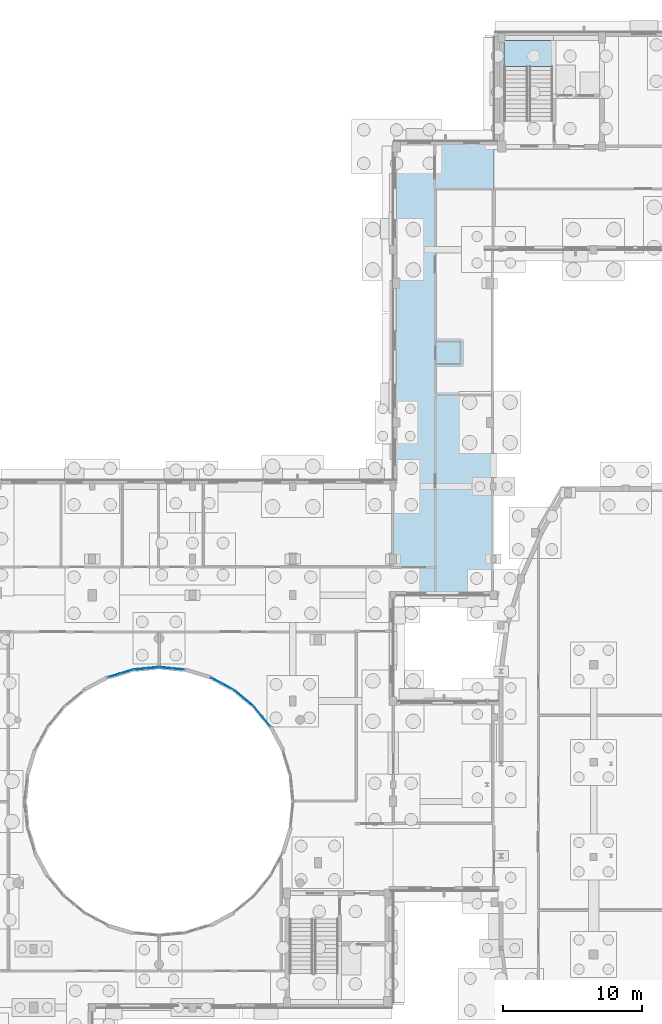
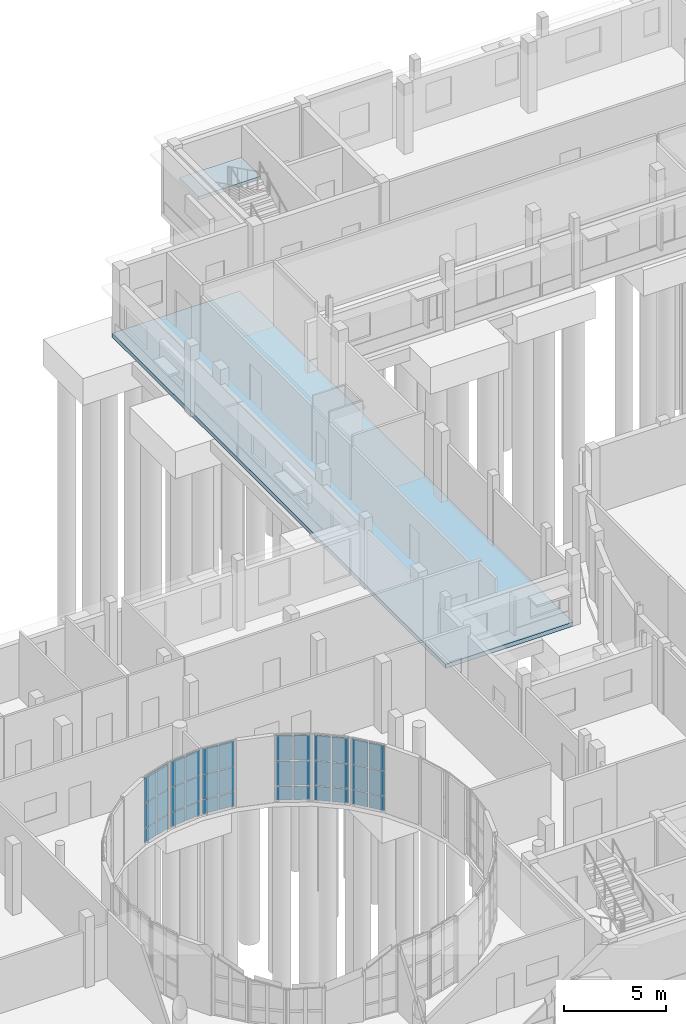
# One storey, part 59 of 93: 36 plates, 2 slabs, 7 elements without a shape of their own.
"""IFC4 building model written with IfcOpenShell, lengths in metres."""

from ifc_helpers import new_model, si_unit, direction, frame, origin, origin_2d, place, context, subcontext, project, spatial, polyline, rectangle, outline, extrude, material, layer, layer_set, type_object, element, aggregate, save


model = new_model("IFC4")

# Units and contexts
model_context = context("Model", 3, precision=1e-05, world=origin(), true_north=direction((0.0, 1.0)))
body_context = subcontext(model_context, "Body", "Model", "MODEL_VIEW")
ifc_project = project(units=[si_unit("LENGTHUNIT", "METRE"), si_unit("AREAUNIT", "SQUARE_METRE"), si_unit("VOLUMEUNIT", "CUBIC_METRE"), si_unit("PLANEANGLEUNIT", "RADIAN"), si_unit("MASSUNIT", "GRAM", prefix="KILO")], contexts=[model_context])

# Site, building, storey
site_placement = place(None, origin())
site = spatial("IfcSite", under=ifc_project, at=site_placement, CompositionType="ELEMENT")
building_placement = place(site_placement, origin())
building = spatial("IfcBuilding", under=site, at=building_placement, Name="Kelanivale Promenade Academy", CompositionType="ELEMENT")
storey_placement = place(building_placement, origin())
storey = spatial("IfcBuildingStorey", under=building, at=storey_placement, Name="L00", CompositionType="ELEMENT", Elevation=0.0)

# Slab
ifc_material_1 = material(Name="Concrete C35/45", Category="concrete")
ifc_layer_1 = layer(ifc_material_1, 0.25)
ifc_layer_set_1 = layer_set([ifc_layer_1], Name="Concrete C35/45")
slab_type_1 = type_object("IfcSlabType", Name="BS-01 Slab 250mm", PredefinedType="BASESLAB", material=ifc_layer_set_1)
slab_1_placement = place(storey_placement, frame((0.0, 0.0, -0.25)))
element("IfcSlab", 1, at=slab_1_placement, inside=storey, type_object=slab_type_1, Name="L00 structural slab SLB-L00-V5K", PredefinedType="BASESLAB", context=body_context, shape_type="SweptSolid", body=[
    extrude(outline(polyline([(115.60009765625, 104.199951171875), (115.60009765625, 71.60009765625), (122.800048828125, 71.60009765625), (122.800048828125, 104.199951171875), (115.60009765625, 104.199951171875)])), origin(), (0.0, 0.0, 1.0), 0.25),
])

# Curtain wall, plates
ifc_material_2 = material(Name="Bronze anodised aluminium and solar-control low-E glass", Category="aluminium")
ifc_layer_2 = layer(ifc_material_2, 0.169921875)
ifc_layer_set_2 = layer_set([ifc_layer_2], Name="Bronze anodised aluminium and solar-control low-E glass")
curtain_wall_type_1 = type_object("IfcCurtainWallType", Name="CW-04 Curtain Wall 1800mm Module", PredefinedType="USERDEFINED", material=ifc_layer_set_2)
curtain_wall_1_placement = place(storey_placement, origin())
curtain_wall_1 = element("IfcCurtainWall", 2, at=curtain_wall_1_placement, inside=storey, type_object=curtain_wall_type_1, Name="L00 courtyard curtain wall CW-04", ObjectType="UNITISED GLAZING", PredefinedType="USERDEFINED")
ifc_material_3 = material(Name="Solar-control double glazing 28 mm", Category="glass")
ifc_layer_3 = layer(ifc_material_3, 0.028076171875)
ifc_layer_set_3 = layer_set([ifc_layer_3], Name="Solar-control double glazing 28 mm")
plate_type_1 = type_object("IfcPlateType", Name="CWP-01 Plate 28mm", PredefinedType="CURTAIN_PANEL", material=ifc_layer_set_3)
plate_1_placement = place(storey_placement, frame((103.72216796875, 65.04736328125, 0.06005859375), z_axis=(0.0, 0.0, 1.0), x_axis=(-0.881978204448, 0.471290193914, 0.0)))
plate_1 = element("IfcPlate", 3, at=plate_1_placement, type_object=plate_type_1, Name="CW-04 panel 1.1", PredefinedType="CURTAIN_PANEL", context=body_context, shape_type="SweptSolid", body=[
    extrude(rectangle(XDim=0.82666015625, YDim=0.028076171875, at=origin_2d()), origin(), (0.0, 0.0, 1.0), 0.81005859375),
])
plate_2_placement = place(storey_placement, frame((103.72216796875, 65.04736328125, 0.929931640625), z_axis=(0.0, 0.0, 1.0), x_axis=(-0.881978204448, 0.471290193914, 0.0)))
plate_2 = element("IfcPlate", 4, at=plate_2_placement, type_object=plate_type_1, Name="CW-04 panel 1.2", PredefinedType="CURTAIN_PANEL", context=body_context, shape_type="SweptSolid", body=[
    extrude(rectangle(XDim=0.82666015625, YDim=0.028076171875, at=origin_2d()), origin(), (0.0, 0.0, 1.0), 1.43994140625),
])
plate_3_placement = place(storey_placement, frame((103.72216796875, 65.04736328125, 2.43017578125), z_axis=(0.0, 0.0, 1.0), x_axis=(-0.881978204448, 0.471290193914, 0.0)))
plate_3 = element("IfcPlate", 5, at=plate_3_placement, type_object=plate_type_1, Name="CW-04 panel 1.3", PredefinedType="CURTAIN_PANEL", context=body_context, shape_type="SweptSolid", body=[
    extrude(rectangle(XDim=0.82666015625, YDim=0.028076171875, at=origin_2d()), origin(), (0.0, 0.0, 1.0), 1.489990234375),
])
plate_4_placement = place(storey_placement, frame((102.935791015625, 65.467529296875, 0.06005859375), z_axis=(0.0, 0.0, 1.0), x_axis=(-0.881978204448, 0.471290193914, 0.0)))
plate_4 = element("IfcPlate", 6, at=plate_4_placement, type_object=plate_type_1, Name="CW-04 panel 2.1", PredefinedType="CURTAIN_PANEL", context=body_context, shape_type="SweptSolid", body=[
    extrude(rectangle(XDim=0.82666015625, YDim=0.028076171875, at=origin_2d()), origin(), (0.0, 0.0, 1.0), 0.81005859375),
])
plate_5_placement = place(storey_placement, frame((102.935791015625, 65.467529296875, 0.929931640625), z_axis=(0.0, 0.0, 1.0), x_axis=(-0.881978204448, 0.471290193914, 0.0)))
plate_5 = element("IfcPlate", 7, at=plate_5_placement, type_object=plate_type_1, Name="CW-04 panel 2.2", PredefinedType="CURTAIN_PANEL", context=body_context, shape_type="SweptSolid", body=[
    extrude(rectangle(XDim=0.82666015625, YDim=0.028076171875, at=origin_2d()), origin(), (0.0, 0.0, 1.0), 1.43994140625),
])
plate_6_placement = place(storey_placement, frame((102.935791015625, 65.467529296875, 2.43017578125), z_axis=(0.0, 0.0, 1.0), x_axis=(-0.881978204448, 0.471290193914, 0.0)))
plate_6 = element("IfcPlate", 8, at=plate_6_placement, type_object=plate_type_1, Name="CW-04 panel 2.3", PredefinedType="CURTAIN_PANEL", context=body_context, shape_type="SweptSolid", body=[
    extrude(rectangle(XDim=0.82666015625, YDim=0.028076171875, at=origin_2d()), origin(), (0.0, 0.0, 1.0), 1.489990234375),
])
aggregate(curtain_wall_1, [plate_1, plate_2, plate_3, plate_4, plate_5, plate_6])

ifc_layer_4 = layer(ifc_material_2, 0.169921875)
ifc_layer_set_4 = layer_set([ifc_layer_4], Name="Bronze anodised aluminium and solar-control low-E glass")
curtain_wall_type_2 = type_object("IfcCurtainWallType", Name="CW-07 Curtain Wall 1350mm Module", PredefinedType="USERDEFINED", material=ifc_layer_set_4)
curtain_wall_2_placement = place(storey_placement, origin())
curtain_wall_2 = element("IfcCurtainWall", 9, at=curtain_wall_2_placement, inside=storey, type_object=curtain_wall_type_2, Name="L00 courtyard curtain wall CW-07", ObjectType="UNITISED GLAZING", PredefinedType="USERDEFINED")
plate_7_placement = place(storey_placement, frame((96.448486328125, 66.1123046875, 0.0498046875), z_axis=(0.0, 0.0, 1.0), x_axis=(-0.956987977524, -0.290127576893, 0.0)))
plate_7 = element("IfcPlate", 10, at=plate_7_placement, type_object=plate_type_1, Name="CW-07 panel 1.1", PredefinedType="CURTAIN_PANEL", context=body_context, shape_type="SweptSolid", body=[
    extrude(rectangle(XDim=0.826171875, YDim=0.028076171875, at=origin_2d()), origin(), (0.0, 0.0, 1.0), 0.824951171875),
])
plate_8_placement = place(storey_placement, frame((96.448486328125, 66.1123046875, 0.9248046875), z_axis=(0.0, 0.0, 1.0), x_axis=(-0.956987977524, -0.290127576893, 0.0)))
plate_8 = element("IfcPlate", 11, at=plate_8_placement, type_object=plate_type_1, Name="CW-07 panel 1.2", PredefinedType="CURTAIN_PANEL", context=body_context, shape_type="SweptSolid", body=[
    extrude(rectangle(XDim=0.826171875, YDim=0.028076171875, at=origin_2d()), origin(), (0.0, 0.0, 1.0), 1.449951171875),
])
plate_9_placement = place(storey_placement, frame((96.448486328125, 66.1123046875, 2.425048828125), z_axis=(0.0, 0.0, 1.0), x_axis=(-0.956987977524, -0.290127576893, 0.0)))
plate_9 = element("IfcPlate", 12, at=plate_9_placement, type_object=plate_type_1, Name="CW-07 panel 1.3", PredefinedType="CURTAIN_PANEL", context=body_context, shape_type="SweptSolid", body=[
    extrude(rectangle(XDim=0.826171875, YDim=0.028076171875, at=origin_2d()), origin(), (0.0, 0.0, 1.0), 1.5048828125),
])
plate_10_placement = place(storey_placement, frame((95.595458984375, 65.853759765625, 0.0498046875), z_axis=(0.0, 0.0, 1.0), x_axis=(-0.956987977524, -0.290127576893, 0.0)))
plate_10 = element("IfcPlate", 13, at=plate_10_placement, type_object=plate_type_1, Name="CW-07 panel 2.1", PredefinedType="CURTAIN_PANEL", context=body_context, shape_type="SweptSolid", body=[
    extrude(rectangle(XDim=0.826171875, YDim=0.028076171875, at=origin_2d()), origin(), (0.0, 0.0, 1.0), 0.824951171875),
])
plate_11_placement = place(storey_placement, frame((95.595458984375, 65.853759765625, 0.9248046875), z_axis=(0.0, 0.0, 1.0), x_axis=(-0.956987977524, -0.290127576893, 0.0)))
plate_11 = element("IfcPlate", 14, at=plate_11_placement, type_object=plate_type_1, Name="CW-07 panel 2.2", PredefinedType="CURTAIN_PANEL", context=body_context, shape_type="SweptSolid", body=[
    extrude(rectangle(XDim=0.826171875, YDim=0.028076171875, at=origin_2d()), origin(), (0.0, 0.0, 1.0), 1.449951171875),
])
plate_12_placement = place(storey_placement, frame((95.595458984375, 65.853759765625, 2.425048828125), z_axis=(0.0, 0.0, 1.0), x_axis=(-0.956987977524, -0.290127576893, 0.0)))
plate_12 = element("IfcPlate", 15, at=plate_12_placement, type_object=plate_type_1, Name="CW-07 panel 2.3", PredefinedType="CURTAIN_PANEL", context=body_context, shape_type="SweptSolid", body=[
    extrude(rectangle(XDim=0.826171875, YDim=0.028076171875, at=origin_2d()), origin(), (0.0, 0.0, 1.0), 1.5048828125),
])
aggregate(curtain_wall_2, [plate_7, plate_8, plate_9, plate_10, plate_11, plate_12])

ifc_layer_5 = layer(ifc_material_2, 0.179931640625)
ifc_layer_set_5 = layer_set([ifc_layer_5], Name="Bronze anodised aluminium and solar-control low-E glass")
curtain_wall_type_3 = type_object("IfcCurtainWallType", Name="CW-02 Curtain Wall 1500mm Module", PredefinedType="USERDEFINED", material=ifc_layer_set_5)
curtain_wall_3_placement = place(storey_placement, origin())
curtain_wall_3 = element("IfcCurtainWall", 16, at=curtain_wall_3_placement, inside=storey, type_object=curtain_wall_type_3, Name="L00 courtyard curtain wall CW-02", ObjectType="UNITISED GLAZING", PredefinedType="USERDEFINED")
ifc_material_4 = material(Name="Acoustic laminated double glazing 36 mm", Category="glass")
ifc_layer_6 = layer(ifc_material_4, 0.035888671875)
ifc_layer_set_6 = layer_set([ifc_layer_6], Name="Acoustic laminated double glazing 36 mm")
plate_type_2 = type_object("IfcPlateType", Name="CWP-02 Plate 36mm", PredefinedType="CURTAIN_PANEL", material=ifc_layer_set_6)
plate_13_placement = place(storey_placement, frame((106.49462890625, 62.547607421875, 0.0498046875), z_axis=(0.0, 0.0, 1.0), x_axis=(-0.634092539482, 0.773257170269, 0.0)))
plate_13 = element("IfcPlate", 17, at=plate_13_placement, type_object=plate_type_2, Name="CW-02 panel 1.1", PredefinedType="CURTAIN_PANEL", context=body_context, shape_type="SweptSolid", body=[
    extrude(rectangle(XDim=0.833251953125, YDim=0.035888671875, at=origin_2d()), origin(), (0.0, 0.0, 1.0), 0.824951171875),
])
plate_14_placement = place(storey_placement, frame((106.49462890625, 62.547607421875, 0.9248046875), z_axis=(0.0, 0.0, 1.0), x_axis=(-0.634092539482, 0.773257170269, 0.0)))
plate_14 = element("IfcPlate", 18, at=plate_14_placement, type_object=plate_type_2, Name="CW-02 panel 1.2", PredefinedType="CURTAIN_PANEL", context=body_context, shape_type="SweptSolid", body=[
    extrude(rectangle(XDim=0.833251953125, YDim=0.035888671875, at=origin_2d()), origin(), (0.0, 0.0, 1.0), 1.449951171875),
])
plate_15_placement = place(storey_placement, frame((106.49462890625, 62.547607421875, 2.425048828125), z_axis=(0.0, 0.0, 1.0), x_axis=(-0.634092539482, 0.773257170269, 0.0)))
plate_15 = element("IfcPlate", 19, at=plate_15_placement, type_object=plate_type_2, Name="CW-02 panel 1.3", PredefinedType="CURTAIN_PANEL", context=body_context, shape_type="SweptSolid", body=[
    extrude(rectangle(XDim=0.833251953125, YDim=0.035888671875, at=origin_2d()), origin(), (0.0, 0.0, 1.0), 1.5048828125),
])
plate_16_placement = place(storey_placement, frame((105.92822265625, 63.23828125, 0.0498046875), z_axis=(0.0, 0.0, 1.0), x_axis=(-0.634092539482, 0.773257170269, 0.0)))
plate_16 = element("IfcPlate", 20, at=plate_16_placement, type_object=plate_type_2, Name="CW-02 panel 2.1", PredefinedType="CURTAIN_PANEL", context=body_context, shape_type="SweptSolid", body=[
    extrude(rectangle(XDim=0.833251953125, YDim=0.035888671875, at=origin_2d()), origin(), (0.0, 0.0, 1.0), 0.824951171875),
])
plate_17_placement = place(storey_placement, frame((105.92822265625, 63.23828125, 0.9248046875), z_axis=(0.0, 0.0, 1.0), x_axis=(-0.634092539482, 0.773257170269, 0.0)))
plate_17 = element("IfcPlate", 21, at=plate_17_placement, type_object=plate_type_2, Name="CW-02 panel 2.2", PredefinedType="CURTAIN_PANEL", context=body_context, shape_type="SweptSolid", body=[
    extrude(rectangle(XDim=0.833251953125, YDim=0.035888671875, at=origin_2d()), origin(), (0.0, 0.0, 1.0), 1.449951171875),
])
plate_18_placement = place(storey_placement, frame((105.92822265625, 63.23828125, 2.425048828125), z_axis=(0.0, 0.0, 1.0), x_axis=(-0.634092539482, 0.773257170269, 0.0)))
plate_18 = element("IfcPlate", 22, at=plate_18_placement, type_object=plate_type_2, Name="CW-02 panel 2.3", PredefinedType="CURTAIN_PANEL", context=body_context, shape_type="SweptSolid", body=[
    extrude(rectangle(XDim=0.833251953125, YDim=0.035888671875, at=origin_2d()), origin(), (0.0, 0.0, 1.0), 1.5048828125),
])
aggregate(curtain_wall_3, [plate_13, plate_14, plate_15, plate_16, plate_17, plate_18])

ifc_layer_7 = layer(ifc_material_2, 0.179931640625)
ifc_layer_set_7 = layer_set([ifc_layer_7], Name="Bronze anodised aluminium and solar-control low-E glass")
curtain_wall_type_4 = type_object("IfcCurtainWallType", Name="CW-05 Curtain Wall 1950mm Module", PredefinedType="USERDEFINED", material=ifc_layer_set_7)
curtain_wall_4_placement = place(storey_placement, origin())
curtain_wall_4 = element("IfcCurtainWall", 23, at=curtain_wall_4_placement, inside=storey, type_object=curtain_wall_type_4, Name="L00 courtyard curtain wall CW-05", ObjectType="UNITISED GLAZING", PredefinedType="USERDEFINED")
plate_19_placement = place(storey_placement, frame((100.177490234375, 66.303955078125, 0.0498046875), z_axis=(0.0, 0.0, 1.0), x_axis=(-0.99513321337, 0.098538762159, 0.0)))
plate_19 = element("IfcPlate", 24, at=plate_19_placement, type_object=plate_type_2, Name="CW-05 panel 1.1", PredefinedType="CURTAIN_PANEL", context=body_context, shape_type="SweptSolid", body=[
    extrude(rectangle(XDim=0.83349609375, YDim=0.035888671875, at=origin_2d()), origin(), (0.0, 0.0, 1.0), 0.824951171875),
])
plate_20_placement = place(storey_placement, frame((100.177490234375, 66.303955078125, 0.9248046875), z_axis=(0.0, 0.0, 1.0), x_axis=(-0.99513321337, 0.098538762159, 0.0)))
plate_20 = element("IfcPlate", 25, at=plate_20_placement, type_object=plate_type_2, Name="CW-05 panel 1.2", PredefinedType="CURTAIN_PANEL", context=body_context, shape_type="SweptSolid", body=[
    extrude(rectangle(XDim=0.83349609375, YDim=0.035888671875, at=origin_2d()), origin(), (0.0, 0.0, 1.0), 1.449951171875),
])
plate_21_placement = place(storey_placement, frame((100.177490234375, 66.303955078125, 2.425048828125), z_axis=(0.0, 0.0, 1.0), x_axis=(-0.99513321337, 0.098538762159, 0.0)))
plate_21 = element("IfcPlate", 26, at=plate_21_placement, type_object=plate_type_2, Name="CW-05 panel 1.3", PredefinedType="CURTAIN_PANEL", context=body_context, shape_type="SweptSolid", body=[
    extrude(rectangle(XDim=0.83349609375, YDim=0.035888671875, at=origin_2d()), origin(), (0.0, 0.0, 1.0), 1.5048828125),
])
plate_22_placement = place(storey_placement, frame((99.288330078125, 66.39208984375, 0.0498046875), z_axis=(0.0, 0.0, 1.0), x_axis=(-0.99513321337, 0.098538762159, 0.0)))
plate_22 = element("IfcPlate", 27, at=plate_22_placement, type_object=plate_type_2, Name="CW-05 panel 2.1", PredefinedType="CURTAIN_PANEL", context=body_context, shape_type="SweptSolid", body=[
    extrude(rectangle(XDim=0.83349609375, YDim=0.035888671875, at=origin_2d()), origin(), (0.0, 0.0, 1.0), 0.824951171875),
])
plate_23_placement = place(storey_placement, frame((99.288330078125, 66.39208984375, 0.9248046875), z_axis=(0.0, 0.0, 1.0), x_axis=(-0.99513321337, 0.098538762159, 0.0)))
plate_23 = element("IfcPlate", 28, at=plate_23_placement, type_object=plate_type_2, Name="CW-05 panel 2.2", PredefinedType="CURTAIN_PANEL", context=body_context, shape_type="SweptSolid", body=[
    extrude(rectangle(XDim=0.83349609375, YDim=0.035888671875, at=origin_2d()), origin(), (0.0, 0.0, 1.0), 1.449951171875),
])
plate_24_placement = place(storey_placement, frame((99.288330078125, 66.39208984375, 2.425048828125), z_axis=(0.0, 0.0, 1.0), x_axis=(-0.99513321337, 0.098538762159, 0.0)))
plate_24 = element("IfcPlate", 29, at=plate_24_placement, type_object=plate_type_2, Name="CW-05 panel 2.3", PredefinedType="CURTAIN_PANEL", context=body_context, shape_type="SweptSolid", body=[
    extrude(rectangle(XDim=0.83349609375, YDim=0.035888671875, at=origin_2d()), origin(), (0.0, 0.0, 1.0), 1.5048828125),
])
aggregate(curtain_wall_4, [plate_19, plate_20, plate_21, plate_22, plate_23, plate_24])

ifc_layer_8 = layer(ifc_material_2, 0.159912109375)
ifc_layer_set_8 = layer_set([ifc_layer_8], Name="Bronze anodised aluminium and solar-control low-E glass")
curtain_wall_type_5 = type_object("IfcCurtainWallType", Name="CW-03 Curtain Wall 1650mm Module", PredefinedType="USERDEFINED", material=ifc_layer_set_8)
curtain_wall_5_placement = place(storey_placement, origin())
curtain_wall_5 = element("IfcCurtainWall", 30, at=curtain_wall_5_placement, inside=storey, type_object=curtain_wall_type_5, Name="L00 courtyard curtain wall CW-03", ObjectType="UNITISED GLAZING", PredefinedType="USERDEFINED")
ifc_material_5 = material(Name="Insulated bronze aluminium spandrel panel 44 mm", Category="aluminium")
ifc_layer_9 = layer(ifc_material_5, 0.0439453125)
ifc_layer_set_9 = layer_set([ifc_layer_9], Name="Insulated bronze aluminium spandrel panel 44 mm")
plate_type_3 = type_object("IfcPlateType", Name="CWP-03 Plate 44mm", PredefinedType="CURTAIN_PANEL", material=ifc_layer_set_9)
plate_25_placement = place(storey_placement, frame((105.234375, 63.931640625, 0.0498046875), z_axis=(0.0, 0.0, 1.0), x_axis=(-0.773215132597, 0.634143799719, 0.0)))
plate_25 = element("IfcPlate", 31, at=plate_25_placement, type_object=plate_type_3, Name="CW-03 panel 1.1", PredefinedType="CURTAIN_PANEL", context=body_context, shape_type="SweptSolid", body=[
    extrude(rectangle(XDim=0.833740234375, YDim=0.0439453125, at=origin_2d()), origin(), (0.0, 0.0, 1.0), 0.824951171875),
])
plate_26_placement = place(storey_placement, frame((105.234375, 63.931640625, 0.9248046875), z_axis=(0.0, 0.0, 1.0), x_axis=(-0.773215132597, 0.634143799719, 0.0)))
plate_26 = element("IfcPlate", 32, at=plate_26_placement, type_object=plate_type_3, Name="CW-03 panel 1.2", PredefinedType="CURTAIN_PANEL", context=body_context, shape_type="SweptSolid", body=[
    extrude(rectangle(XDim=0.833740234375, YDim=0.0439453125, at=origin_2d()), origin(), (0.0, 0.0, 1.0), 1.449951171875),
])
plate_27_placement = place(storey_placement, frame((105.234375, 63.931640625, 2.425048828125), z_axis=(0.0, 0.0, 1.0), x_axis=(-0.773215132597, 0.634143799719, 0.0)))
plate_27 = element("IfcPlate", 33, at=plate_27_placement, type_object=plate_type_3, Name="CW-03 panel 1.3", PredefinedType="CURTAIN_PANEL", context=body_context, shape_type="SweptSolid", body=[
    extrude(rectangle(XDim=0.833740234375, YDim=0.0439453125, at=origin_2d()), origin(), (0.0, 0.0, 1.0), 1.5048828125),
])
plate_28_placement = place(storey_placement, frame((104.53955078125, 64.50146484375, 0.0498046875), z_axis=(0.0, 0.0, 1.0), x_axis=(-0.773215132597, 0.634143799719, 0.0)))
plate_28 = element("IfcPlate", 34, at=plate_28_placement, type_object=plate_type_3, Name="CW-03 panel 2.1", PredefinedType="CURTAIN_PANEL", context=body_context, shape_type="SweptSolid", body=[
    extrude(rectangle(XDim=0.833740234375, YDim=0.0439453125, at=origin_2d()), origin(), (0.0, 0.0, 1.0), 0.824951171875),
])
plate_29_placement = place(storey_placement, frame((104.53955078125, 64.50146484375, 0.9248046875), z_axis=(0.0, 0.0, 1.0), x_axis=(-0.773215132597, 0.634143799719, 0.0)))
plate_29 = element("IfcPlate", 35, at=plate_29_placement, type_object=plate_type_3, Name="CW-03 panel 2.2", PredefinedType="CURTAIN_PANEL", context=body_context, shape_type="SweptSolid", body=[
    extrude(rectangle(XDim=0.833740234375, YDim=0.0439453125, at=origin_2d()), origin(), (0.0, 0.0, 1.0), 1.449951171875),
])
plate_30_placement = place(storey_placement, frame((104.53955078125, 64.50146484375, 2.425048828125), z_axis=(0.0, 0.0, 1.0), x_axis=(-0.773215132597, 0.634143799719, 0.0)))
plate_30 = element("IfcPlate", 36, at=plate_30_placement, type_object=plate_type_3, Name="CW-03 panel 2.3", PredefinedType="CURTAIN_PANEL", context=body_context, shape_type="SweptSolid", body=[
    extrude(rectangle(XDim=0.833740234375, YDim=0.0439453125, at=origin_2d()), origin(), (0.0, 0.0, 1.0), 1.5048828125),
])
aggregate(curtain_wall_5, [plate_25, plate_26, plate_27, plate_28, plate_29, plate_30])

ifc_layer_10 = layer(ifc_material_2, 0.159912109375)
ifc_layer_set_10 = layer_set([ifc_layer_10], Name="Bronze anodised aluminium and solar-control low-E glass")
curtain_wall_type_6 = type_object("IfcCurtainWallType", Name="CW-06 Curtain Wall 1200mm Module", PredefinedType="USERDEFINED", material=ifc_layer_set_10)
curtain_wall_6_placement = place(storey_placement, origin())
curtain_wall_6 = element("IfcCurtainWall", 37, at=curtain_wall_6_placement, inside=storey, type_object=curtain_wall_type_6, Name="L00 courtyard curtain wall CW-06", ObjectType="UNITISED GLAZING", PredefinedType="USERDEFINED")
plate_31_placement = place(storey_placement, frame((98.307861328125, 66.391845703125, 0.0498046875), z_axis=(0.0, 0.0, 1.0), x_axis=(-0.995158737767, -0.098280652454, 0.0)))
plate_31 = element("IfcPlate", 38, at=plate_31_placement, type_object=plate_type_3, Name="CW-06 panel 1.1", PredefinedType="CURTAIN_PANEL", context=body_context, shape_type="SweptSolid", body=[
    extrude(rectangle(XDim=0.841064453125, YDim=0.0439453125, at=origin_2d()), origin(), (0.0, 0.0, 1.0), 0.824951171875),
])
plate_32_placement = place(storey_placement, frame((98.307861328125, 66.391845703125, 0.9248046875), z_axis=(0.0, 0.0, 1.0), x_axis=(-0.995158737767, -0.098280652454, 0.0)))
plate_32 = element("IfcPlate", 39, at=plate_32_placement, type_object=plate_type_3, Name="CW-06 panel 1.2", PredefinedType="CURTAIN_PANEL", context=body_context, shape_type="SweptSolid", body=[
    extrude(rectangle(XDim=0.841064453125, YDim=0.0439453125, at=origin_2d()), origin(), (0.0, 0.0, 1.0), 1.449951171875),
])
plate_33_placement = place(storey_placement, frame((98.307861328125, 66.391845703125, 2.425048828125), z_axis=(0.0, 0.0, 1.0), x_axis=(-0.995158737767, -0.098280652454, 0.0)))
plate_33 = element("IfcPlate", 40, at=plate_33_placement, type_object=plate_type_3, Name="CW-06 panel 1.3", PredefinedType="CURTAIN_PANEL", context=body_context, shape_type="SweptSolid", body=[
    extrude(rectangle(XDim=0.841064453125, YDim=0.0439453125, at=origin_2d()), origin(), (0.0, 0.0, 1.0), 1.5048828125),
])
plate_34_placement = place(storey_placement, frame((97.4111328125, 66.30322265625, 0.0498046875), z_axis=(0.0, 0.0, 1.0), x_axis=(-0.995158737767, -0.098280652454, 0.0)))
plate_34 = element("IfcPlate", 41, at=plate_34_placement, type_object=plate_type_3, Name="CW-06 panel 2.1", PredefinedType="CURTAIN_PANEL", context=body_context, shape_type="SweptSolid", body=[
    extrude(rectangle(XDim=0.841064453125, YDim=0.0439453125, at=origin_2d()), origin(), (0.0, 0.0, 1.0), 0.824951171875),
])
plate_35_placement = place(storey_placement, frame((97.4111328125, 66.30322265625, 0.9248046875), z_axis=(0.0, 0.0, 1.0), x_axis=(-0.995158737767, -0.098280652454, 0.0)))
plate_35 = element("IfcPlate", 42, at=plate_35_placement, type_object=plate_type_3, Name="CW-06 panel 2.2", PredefinedType="CURTAIN_PANEL", context=body_context, shape_type="SweptSolid", body=[
    extrude(rectangle(XDim=0.841064453125, YDim=0.0439453125, at=origin_2d()), origin(), (0.0, 0.0, 1.0), 1.449951171875),
])
plate_36_placement = place(storey_placement, frame((97.4111328125, 66.30322265625, 2.425048828125), z_axis=(0.0, 0.0, 1.0), x_axis=(-0.995158737767, -0.098280652454, 0.0)))
plate_36 = element("IfcPlate", 43, at=plate_36_placement, type_object=plate_type_3, Name="CW-06 panel 2.3", PredefinedType="CURTAIN_PANEL", context=body_context, shape_type="SweptSolid", body=[
    extrude(rectangle(XDim=0.841064453125, YDim=0.0439453125, at=origin_2d()), origin(), (0.0, 0.0, 1.0), 1.5048828125),
])
aggregate(curtain_wall_6, [plate_31, plate_32, plate_33, plate_34, plate_35, plate_36])

# Stair, slab
stair_type = type_object("IfcStairType", Name="ST-T01 Protected dog-leg ground-storey stai", PredefinedType="HALF_TURN_STAIR", material=ifc_material_1)
stair_placement = place(storey_placement, origin())
stair = element("IfcStair", 44, at=stair_placement, inside=storey, type_object=stair_type, Name="L00 ST-05", PredefinedType="HALF_TURN_STAIR")
ifc_layer_11 = layer(ifc_material_1, 0.199951171875)
ifc_layer_set_11 = layer_set([ifc_layer_11], Name="Concrete C35/45")
slab_type_2 = type_object("IfcSlabType", Name="LS-01 Slab 200mm", PredefinedType="LANDING", material=ifc_layer_set_11)
slab_2_placement = place(storey_placement, frame((0.0, 0.0, 1.89990234375)))
slab_2 = element("IfcSlab", 45, at=slab_2_placement, type_object=slab_type_2, Name="ST-05 landing 1", PredefinedType="LANDING", context=body_context, shape_type="SweptSolid", body=[
    extrude(outline(polyline([(127.06494140625, 109.554931640625), (127.06494140625, 111.43505859375), (123.56494140625, 111.43505859375), (123.56494140625, 109.554931640625), (127.06494140625, 109.554931640625)])), origin(), (0.0, 0.0, 1.0), 0.2001953125),
])
aggregate(stair, [slab_2])

save(model, "model.ifc")
